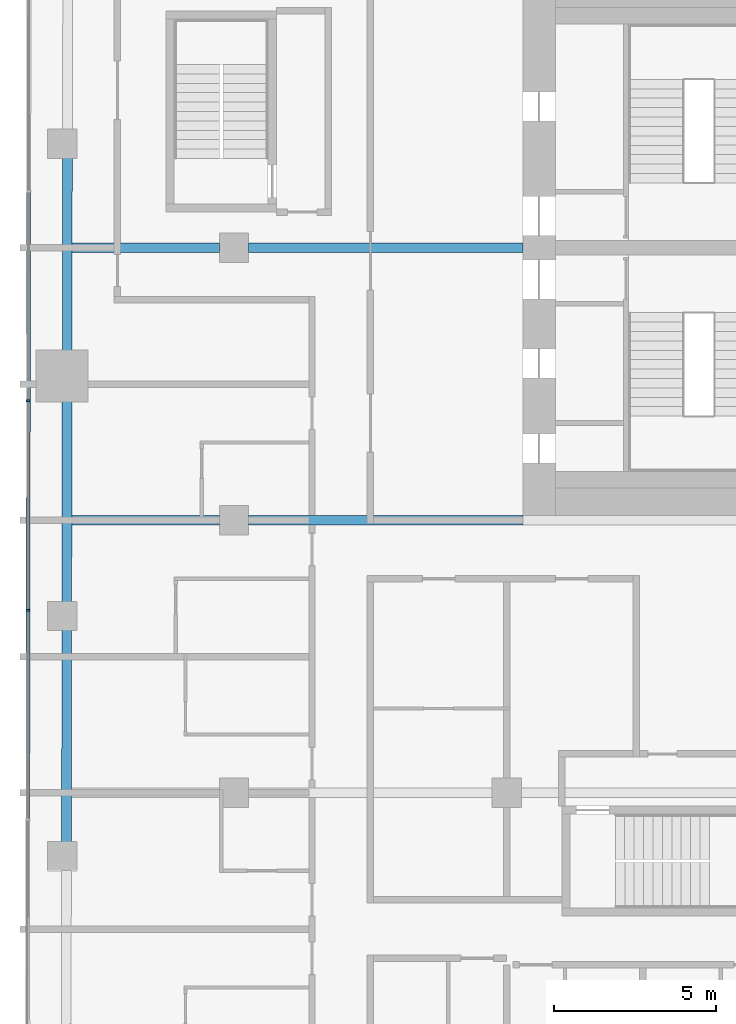
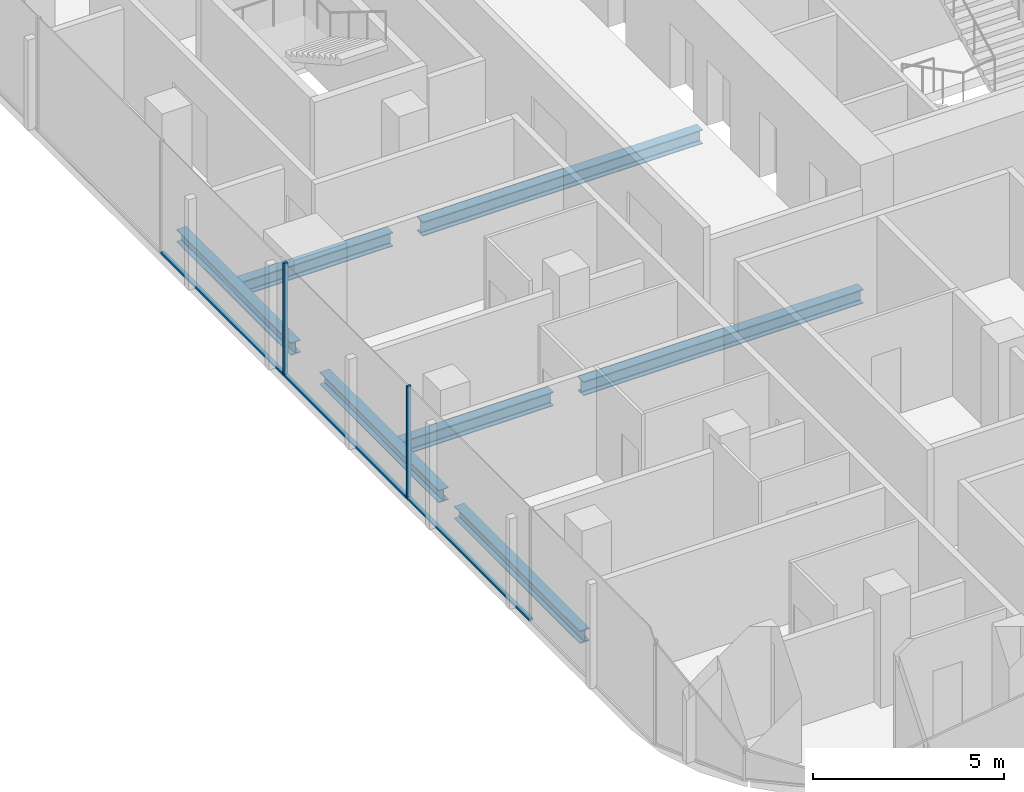
# One storey, part 4 of 23: 7 beams, 5 members, 1 element without a shape of its own.
"""IFC4 building model written with IfcOpenShell, lengths in metres."""

from ifc_helpers import new_model, si_unit, direction, frame, origin, origin_2d, place, context, subcontext, project, spatial, rectangle, i_section, extrude, material, layer, layer_set, material_profile, profile_set, type_object, element, aggregate, save


model = new_model("IFC4")

# Units and contexts
model_context = context("Model", 3, precision=1e-05, world=origin(), true_north=direction((0.0, 1.0)))
body_context = subcontext(model_context, "Body", "Model", "MODEL_VIEW")
ifc_project = project(units=[si_unit("LENGTHUNIT", "METRE"), si_unit("AREAUNIT", "SQUARE_METRE"), si_unit("VOLUMEUNIT", "CUBIC_METRE"), si_unit("PLANEANGLEUNIT", "RADIAN"), si_unit("MASSUNIT", "GRAM", prefix="KILO")], contexts=[model_context])

# Site, building, storey
site_placement = place(None, origin())
site = spatial("IfcSite", under=ifc_project, at=site_placement, CompositionType="ELEMENT")
building_placement = place(site_placement, origin())
building = spatial("IfcBuilding", under=site, at=building_placement, Name="Marenta Gate Hotel Tower", CompositionType="ELEMENT")
storey_placement = place(building_placement, frame((0.0, 0.0, 112.10009765625)))
storey = spatial("IfcBuildingStorey", under=building, at=storey_placement, Name="L24", CompositionType="ELEMENT", Elevation=112.10009765625)

# Beams
ifc_material_1 = material(Name="Steel S355", Category="steel")
ifc_material_profile_1 = material_profile(ifc_material_1, i_section(OverallWidth=0.300048828125, OverallDepth=0.39990234375, WebThickness=0.013427734375, FlangeThickness=0.02392578125, FilletRadius=0.027099609375, at=origin_2d()), Name="HEB 400")
ifc_profile_set_1 = profile_set([ifc_material_profile_1], Name="Steel S355")
beam_type_1 = type_object("IfcBeamType", Name="Edge beam HEB 400", PredefinedType="SPANDREL", material=ifc_profile_set_1)
beam_1_placement = place(storey_placement, frame((-26.167236328125, -9.94189453125, -0.460205078125), z_axis=(0.001372605919, 0.999999057976, 0.0), x_axis=(-0.999999057976, 0.001372605919, 0.0)))
element("IfcBeam", 1, at=beam_1_placement, inside=storey, type_object=beam_type_1, Name="L24-EB-6", PredefinedType="SPANDREL", context=body_context, shape_type="SweptSolid", body=[
    extrude(i_section(OverallWidth=0.300048828125, OverallDepth=0.39990234375, WebThickness=0.013427734375, FlangeThickness=0.02392578125, FilletRadius=0.027099609375, at=origin_2d()), origin(), (0.0, 0.0, 1.0), 6.5810546875),
])
beam_2_placement = place(storey_placement, frame((-26.156982421875, -2.541015625, -0.460205078125), z_axis=(0.001371364591, 0.999999059679, 0.0), x_axis=(-0.999999059679, 0.001371364591, 0.0)))
element("IfcBeam", 2, at=beam_2_placement, inside=storey, type_object=beam_type_1, Name="L24-EB-7", PredefinedType="SPANDREL", context=body_context, shape_type="SweptSolid", body=[
    extrude(i_section(OverallWidth=0.300048828125, OverallDepth=0.39990234375, WebThickness=0.013427734375, FlangeThickness=0.02392578125, FilletRadius=0.027099609375, at=origin_2d()), origin(), (0.0, 0.0, 1.0), 6.23095703125),
])
beam_3_placement = place(storey_placement, frame((-26.146484375, 5.2099609375, -0.460205078125), z_axis=(0.001387357379, 0.999999037619, 0.0), x_axis=(-0.999999037619, 0.001387357379, 0.0)))
element("IfcBeam", 3, at=beam_3_placement, inside=storey, type_object=beam_type_1, Name="L24-EB-8", PredefinedType="SPANDREL", context=body_context, shape_type="SweptSolid", body=[
    extrude(i_section(OverallWidth=0.300048828125, OverallDepth=0.39990234375, WebThickness=0.013427734375, FlangeThickness=0.02392578125, FilletRadius=0.027099609375, at=origin_2d()), origin(), (0.0, 0.0, 1.0), 5.983154296875),
])
ifc_material_2 = material(Name="Steel S355", Category="steel")
ifc_material_profile_2 = material_profile(ifc_material_2, i_section(OverallWidth=0.300048828125, OverallDepth=0.449951171875, WebThickness=0.013916015625, FlangeThickness=0.02587890625, FilletRadius=0.027099609375, at=origin_2d()), Name="HEB 450")
ifc_profile_set_2 = profile_set([ifc_material_profile_2], Name="Steel S355")
beam_type_2 = type_object("IfcBeamType", Name="Girder HEB 450", PredefinedType="BEAM", material=ifc_profile_set_2)
beam_4_placement = place(storey_placement, frame((-26.003662109375, 0.0, -0.485107421875), z_axis=(1.0, 0.0, 0.0), x_axis=(0.0, 1.0, 0.0)))
element("IfcBeam", 4, at=beam_4_placement, inside=storey, type_object=beam_type_2, Name="L24-GD-15", PredefinedType="BEAM", context=body_context, shape_type="SweptSolid", body=[
    extrude(i_section(OverallWidth=0.300048828125, OverallDepth=0.449951171875, WebThickness=0.013916015625, FlangeThickness=0.02587890625, FilletRadius=0.027099609375, at=origin_2d()), origin(), (0.0, 0.0, 1.0), 4.5537109375),
])
beam_5_placement = place(storey_placement, frame((-20.550048828125, 0.0, -0.485107421875), z_axis=(1.0, 0.0, 0.0), x_axis=(0.0, 1.0, 0.0)))
element("IfcBeam", 5, at=beam_5_placement, inside=storey, type_object=beam_type_2, Name="L24-GD-16", PredefinedType="BEAM", context=body_context, shape_type="SweptSolid", body=[
    extrude(i_section(OverallWidth=0.300048828125, OverallDepth=0.449951171875, WebThickness=0.013916015625, FlangeThickness=0.02587890625, FilletRadius=0.027099609375, at=origin_2d()), origin(), (0.0, 0.0, 1.0), 8.449951171875),
])
beam_6_placement = place(storey_placement, frame((-25.991943359375, 8.39990234375, -0.485107421875), z_axis=(1.0, 0.0, 0.0), x_axis=(0.0, 1.0, 0.0)))
element("IfcBeam", 6, at=beam_6_placement, inside=storey, type_object=beam_type_2, Name="L24-GD-20", PredefinedType="BEAM", context=body_context, shape_type="SweptSolid", body=[
    extrude(i_section(OverallWidth=0.300048828125, OverallDepth=0.449951171875, WebThickness=0.013916015625, FlangeThickness=0.02587890625, FilletRadius=0.027099609375, at=origin_2d()), origin(), (0.0, 0.0, 1.0), 4.5419921875),
])
beam_7_placement = place(storey_placement, frame((-20.550048828125, 8.39990234375, -0.485107421875), z_axis=(1.0, 0.0, 0.0), x_axis=(0.0, 1.0, 0.0)))
element("IfcBeam", 7, at=beam_7_placement, inside=storey, type_object=beam_type_2, Name="L24-GD-21", PredefinedType="BEAM", context=body_context, shape_type="SweptSolid", body=[
    extrude(i_section(OverallWidth=0.300048828125, OverallDepth=0.449951171875, WebThickness=0.013916015625, FlangeThickness=0.02587890625, FilletRadius=0.027099609375, at=origin_2d()), origin(), (0.0, 0.0, 1.0), 8.449951171875),
])

# Curtain wall, members
ifc_material_3 = material(Name="Tinted insulated glass in bronze anodised frame", Category="glass")
ifc_layer = layer(ifc_material_3, 0.1201171875)
ifc_layer_set = layer_set([ifc_layer], Name="Tinted insulated glass in bronze anodised frame")
curtain_wall_type = type_object("IfcCurtainWallType", Name="Tower unitised curtain wall CW1", PredefinedType="NOTDEFINED", material=ifc_layer_set)
curtain_wall_placement = place(storey_placement, origin())
curtain_wall = element("IfcCurtainWall", 8, at=curtain_wall_placement, inside=storey, type_object=curtain_wall_type, Name="CW1 run G03", PredefinedType="NOTDEFINED")
ifc_material_4 = material(Name="Bronze anodised aluminium", Category="aluminium")
ifc_material_profile_3 = material_profile(ifc_material_4, rectangle(XDim=0.1201171875, YDim=0.06005859375, at=origin_2d()), Name="Mullion CW1 60x120 bronze anodised aluminium")
ifc_profile_set_3 = profile_set([ifc_material_profile_3], Name="Bronze anodised aluminium")
member_type_1 = type_object("IfcMemberType", Name="Mullion CW1 60x120 bronze anodised aluminium", PredefinedType="MULLION", material=ifc_profile_set_3)
member_1_placement = place(storey_placement, frame((-27.342529296875, 3.686279296875, 0.0), z_axis=(0.0, 0.0, 1.0), x_axis=(0.99999877375, -0.001566045546, 0.0)))
member_1 = element("IfcMember", 9, at=member_1_placement, type_object=member_type_1, Name="CW1 mullion 4", PredefinedType="MULLION", context=body_context, shape_type="SweptSolid", body=[
    extrude(rectangle(XDim=0.1201171875, YDim=0.06005859375, at=origin_2d()), origin(), (0.0, 0.0, 1.0), 3.599853515625),
])
member_2_placement = place(storey_placement, frame((-27.352783203125, -2.773681640625, 0.0), z_axis=(0.0, 0.0, 1.0), x_axis=(0.99999877375, -0.001566045546, 0.0)))
member_2 = element("IfcMember", 10, at=member_2_placement, type_object=member_type_1, Name="CW1 mullion 5", PredefinedType="MULLION", context=body_context, shape_type="SweptSolid", body=[
    extrude(rectangle(XDim=0.1201171875, YDim=0.06005859375, at=origin_2d()), origin(), (0.0, 0.0, 1.0), 3.599853515625),
])
ifc_material_5 = material(Name="Bronze anodised aluminium", Category="aluminium")
ifc_material_profile_4 = material_profile(ifc_material_5, rectangle(XDim=0.1201171875, YDim=0.06005859375, at=origin_2d()), Name="Transom CW1 60x120 bronze anodised aluminium")
ifc_profile_set_4 = profile_set([ifc_material_profile_4], Name="Bronze anodised aluminium")
member_type_2 = type_object("IfcMemberType", Name="Transom CW1 60x120 bronze anodised aluminium", PredefinedType="USERDEFINED", material=ifc_profile_set_4)
member_3_placement = place(storey_placement, frame((-27.33251953125, 10.1162109375, 0.02978515625), z_axis=(-0.001564047831, -0.999998776876, 0.0), x_axis=(0.999998776876, -0.001564047831, 0.0)))
member_3 = element("IfcMember", 11, at=member_3_placement, type_object=member_type_2, Name="CW1 transom 3.1", ObjectType="TRANSOM", PredefinedType="USERDEFINED", context=body_context, shape_type="SweptSolid", body=[
    extrude(rectangle(XDim=0.1201171875, YDim=0.06005859375, at=origin_2d()), origin(), (0.0, 0.0, 1.0), 6.39990234375),
])
member_4_placement = place(storey_placement, frame((-27.3427734375, 3.65625, 0.02978515625), z_axis=(-0.001563988169, -0.99999877697, 0.0), x_axis=(0.99999877697, -0.001563988169, 0.0)))
member_4 = element("IfcMember", 12, at=member_4_placement, type_object=member_type_2, Name="CW1 transom 4.1", ObjectType="TRANSOM", PredefinedType="USERDEFINED", context=body_context, shape_type="SweptSolid", body=[
    extrude(rectangle(XDim=0.1201171875, YDim=0.06005859375, at=origin_2d()), origin(), (0.0, 0.0, 1.0), 6.400146484375),
])
member_5_placement = place(storey_placement, frame((-27.352783203125, -2.8037109375, 0.02978515625), z_axis=(-0.001563988169, -0.99999877697, 0.0), x_axis=(0.99999877697, -0.001563988169, 0.0)))
member_5 = element("IfcMember", 13, at=member_5_placement, type_object=member_type_2, Name="CW1 transom 5.1", ObjectType="TRANSOM", PredefinedType="USERDEFINED", context=body_context, shape_type="SweptSolid", body=[
    extrude(rectangle(XDim=0.1201171875, YDim=0.06005859375, at=origin_2d()), origin(), (0.0, 0.0, 1.0), 6.400146484375),
])
aggregate(curtain_wall, [member_1, member_2, member_3, member_4, member_5])

save(model, "model.ifc")
